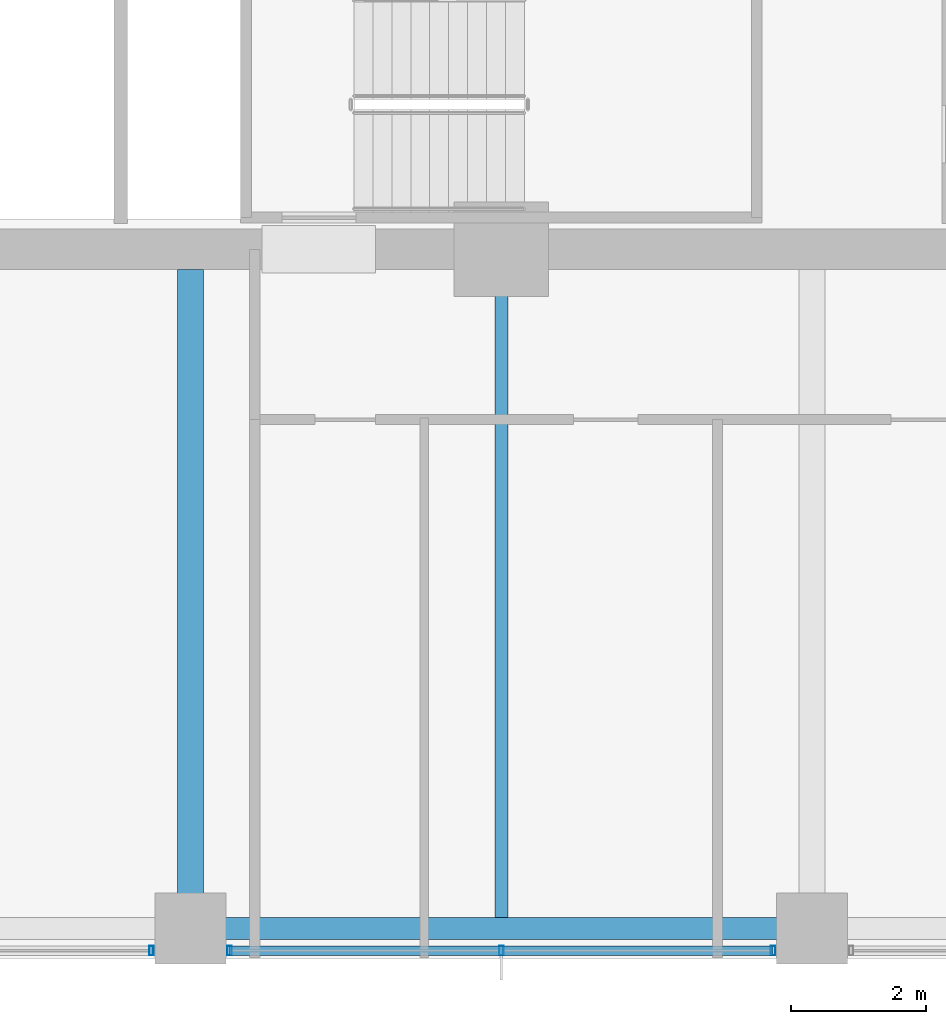
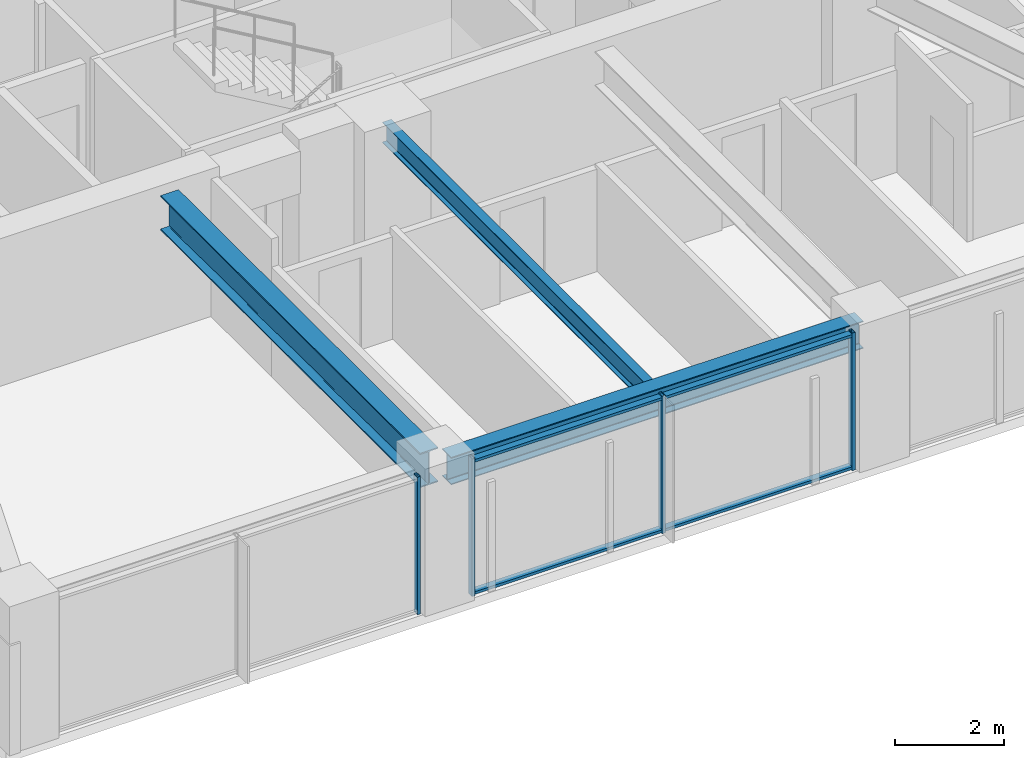
# One storey, part 6 of 36: 6 members, 3 beams, 2 elements without a shape of their own.
"""IFC4 building model written with IfcOpenShell, lengths in metres."""

from ifc_helpers import new_model, si_unit, direction, frame, origin, origin_2d, place, context, subcontext, project, spatial, hollow_rectangle, i_section, extrude, material, material_profile, profile_set, type_object, element, aggregate, save


model = new_model("IFC4")

# Units and contexts
model_context = context("Model", 3, precision=1e-05, world=origin(), true_north=direction((0.0, 1.0)))
body_context = subcontext(model_context, "Body", "Model", "MODEL_VIEW")
ifc_project = project(units=[si_unit("LENGTHUNIT", "METRE"), si_unit("AREAUNIT", "SQUARE_METRE"), si_unit("VOLUMEUNIT", "CUBIC_METRE"), si_unit("PLANEANGLEUNIT", "RADIAN"), si_unit("MASSUNIT", "GRAM", prefix="KILO")], contexts=[model_context])

# Site, building, storey
site_placement = place(None, origin())
site = spatial("IfcSite", under=ifc_project, at=site_placement, CompositionType="ELEMENT")
building_placement = place(site_placement, origin())
building = spatial("IfcBuilding", under=site, at=building_placement, Name="Kolvaren Belvedere", CompositionType="ELEMENT")
storey_placement = place(building_placement, frame((0.0, 0.0, 95.300048828125)))
storey = spatial("IfcBuildingStorey", under=building, at=storey_placement, Name="L27", CompositionType="ELEMENT", Elevation=95.300048828125)

# Beams
ifc_material_1 = material(Name="Structural steel ASTM A992 Grade 50", Category="steel")
ifc_material_profile_1 = material_profile(ifc_material_1, i_section(OverallWidth=0.381103515625, OverallDepth=0.77294921875, WebThickness=0.0166015625, FlangeThickness=0.027099609375, FilletRadius=0.02392578125, at=origin_2d()), Name="W30X173")
ifc_profile_set_1 = profile_set([ifc_material_profile_1], Name="Structural steel ASTM A992 Grade 50")
beam_type_1 = type_object("IfcBeamType", Name="BM-GIRD-W30X173", PredefinedType="BEAM", material=ifc_profile_set_1)
beam_1_placement = place(storey_placement, frame((-4.60009765625, -10.199951171875, 2.693359375), z_axis=(0.0, -1.0, 0.0), x_axis=(1.0, 0.0, 0.0)))
element("IfcBeam", 1, at=beam_1_placement, inside=storey, type_object=beam_type_1, Name="L27 South Radial Girder M", PredefinedType="BEAM", context=body_context, shape_type="SweptSolid", body=[
    extrude(i_section(OverallWidth=0.381103515625, OverallDepth=0.77294921875, WebThickness=0.0166015625, FlangeThickness=0.027099609375, FilletRadius=0.02392578125, at=origin_2d()), origin(), (0.0, 0.0, 1.0), 9.513916015625),
])
ifc_material_2 = material(Name="Structural steel ASTM A992 Grade 50", Category="steel")
ifc_material_profile_2 = material_profile(ifc_material_2, i_section(OverallWidth=0.19091796875, OverallDepth=0.4599609375, WebThickness=0.010009765625, FlangeThickness=0.01611328125, FilletRadius=0.014892578125, at=origin_2d()), Name="W18X55")
ifc_profile_set_2 = profile_set([ifc_material_profile_2], Name="Structural steel ASTM A992 Grade 50")
beam_type_2 = type_object("IfcBeamType", Name="BM-JOIST-W18X55", PredefinedType="BEAM", material=ifc_profile_set_2)
beam_2_placement = place(storey_placement, frame((0.0, -10.199951171875, 2.849853515625), z_axis=(0.0, -1.0, 0.0), x_axis=(1.0, 0.0, 0.0)))
element("IfcBeam", 2, at=beam_2_placement, inside=storey, type_object=beam_type_2, Name="L27 South Centre Floor Beam", PredefinedType="BEAM", context=body_context, shape_type="SweptSolid", body=[
    extrude(i_section(OverallWidth=0.19091796875, OverallDepth=0.4599609375, WebThickness=0.010009765625, FlangeThickness=0.01611328125, FilletRadius=0.014892578125, at=origin_2d()), origin(), (0.0, 0.0, 1.0), 9.587646484375),
])
ifc_material_3 = material(Name="Structural steel ASTM A992 Grade 50", Category="steel")
ifc_material_profile_3 = material_profile(ifc_material_3, i_section(OverallWidth=0.324951171875, OverallDepth=0.615966796875, WebThickness=0.013916015625, FlangeThickness=0.021484375, FilletRadius=0.02001953125, at=origin_2d()), Name="W24X117")
ifc_profile_set_3 = profile_set([ifc_material_profile_3], Name="Structural steel ASTM A992 Grade 50")
beam_type_3 = type_object("IfcBeamType", Name="BM-SPAN-W24X117", PredefinedType="SPANDREL", material=ifc_profile_set_3)
beam_3_placement = place(storey_placement, frame((-4.36376953125, -19.949951171875, 2.77197265625), z_axis=(1.0, 0.0, 0.0), x_axis=(0.0, 1.0, 0.0)))
element("IfcBeam", 3, at=beam_3_placement, inside=storey, type_object=beam_type_3, Name="L27 Perimeter Spandrel S2-S3", PredefinedType="SPANDREL", context=body_context, shape_type="SweptSolid", body=[
    extrude(i_section(OverallWidth=0.324951171875, OverallDepth=0.615966796875, WebThickness=0.013916015625, FlangeThickness=0.021484375, FilletRadius=0.02001953125, at=origin_2d()), origin(), (0.0, 0.0, 1.0), 8.7275390625),
])

# Curtain wall, members
ifc_material_4 = material(Name="Anodised pale-metal aluminium AA 6063-T6", Category="aluminium")
curtain_wall_type = type_object("IfcCurtainWallType", Name="CW-Z2-MID", PredefinedType="NOTDEFINED", material=ifc_material_4)
curtain_wall_1_placement = place(storey_placement, origin())
curtain_wall_1 = element("IfcCurtainWall", 4, at=curtain_wall_1_placement, inside=storey, type_object=curtain_wall_type, Name="L27 Unitised Curtain Wall FCW-L27-S-B2", PredefinedType="NOTDEFINED")
ifc_material_5 = material(Name="Anodised pale-metal aluminium AA 6063-T6", Category="aluminium")
ifc_material_profile_4 = material_profile(ifc_material_5, hollow_rectangle(XDim=0.06494140625, YDim=0.139892578125, WallThickness=0.00390625, at=origin_2d()), Name="ALU-MUL-140X65")
ifc_profile_set_4 = profile_set([ifc_material_profile_4], Name="Anodised pale-metal aluminium AA 6063-T6")
member_type_1 = type_object("IfcMemberType", Name="CW-MUL-140", PredefinedType="MULLION", material=ifc_profile_set_4)
member_1_placement = place(storey_placement, frame((4.0224609375, -20.280029296875, 0.0), z_axis=(0.0, 0.0, 1.0), x_axis=(1.0, 0.0, 0.0)))
member_1 = element("IfcMember", 5, at=member_1_placement, type_object=member_type_1, Name="FCW-L27-S-B2 Unitised Mullion 1", PredefinedType="MULLION", context=body_context, shape_type="SweptSolid", body=[
    extrude(hollow_rectangle(XDim=0.06494140625, YDim=0.139892578125, WallThickness=0.00390625, at=origin_2d()), origin(), (0.0, 0.0, 1.0), 3.079833984375),
])
member_2_placement = place(storey_placement, frame((0.0, -20.280029296875, 0.0), z_axis=(0.0, 0.0, 1.0), x_axis=(1.0, 0.0, 0.0)))
member_2 = element("IfcMember", 6, at=member_2_placement, type_object=member_type_1, Name="FCW-L27-S-B2 Unitised Mullion 2", PredefinedType="MULLION", context=body_context, shape_type="SweptSolid", body=[
    extrude(hollow_rectangle(XDim=0.06494140625, YDim=0.139892578125, WallThickness=0.00390625, at=origin_2d()), origin(), (0.0, 0.0, 1.0), 3.079833984375),
])
member_3_placement = place(storey_placement, frame((-4.0224609375, -20.280029296875, 0.0), z_axis=(0.0, 0.0, 1.0), x_axis=(1.0, 0.0, 0.0)))
member_3 = element("IfcMember", 7, at=member_3_placement, type_object=member_type_1, Name="FCW-L27-S-B2 Unitised Mullion 3", PredefinedType="MULLION", context=body_context, shape_type="SweptSolid", body=[
    extrude(hollow_rectangle(XDim=0.06494140625, YDim=0.139892578125, WallThickness=0.00390625, at=origin_2d()), origin(), (0.0, 0.0, 1.0), 3.079833984375),
])

# Curtain wall, member
curtain_wall_2_placement = place(storey_placement, origin())
curtain_wall_2 = element("IfcCurtainWall", 8, at=curtain_wall_2_placement, inside=storey, type_object=curtain_wall_type, Name="L27 Unitised Curtain Wall FCW-L27-S-B3", PredefinedType="NOTDEFINED")
member_4_placement = place(storey_placement, frame((-5.177490234375, -20.280029296875, 0.0), z_axis=(0.0, 0.0, 1.0), x_axis=(1.0, 0.0, 0.0)))
member_4 = element("IfcMember", 9, at=member_4_placement, type_object=member_type_1, Name="FCW-L27-S-B3 Unitised Mullion 1", PredefinedType="MULLION", context=body_context, shape_type="SweptSolid", body=[
    extrude(hollow_rectangle(XDim=0.06494140625, YDim=0.139892578125, WallThickness=0.00390625, at=origin_2d()), origin(), (0.0, 0.0, 1.0), 3.079833984375),
])
aggregate(curtain_wall_2, [member_4])

# Member
ifc_material_6 = material(Name="Anodised pale-metal aluminium AA 6063-T6", Category="aluminium")
ifc_material_profile_5 = material_profile(ifc_material_6, hollow_rectangle(XDim=0.06005859375, YDim=0.139892578125, WallThickness=0.00390625, at=origin_2d()), Name="ALU-TRN-140X60")
ifc_profile_set_5 = profile_set([ifc_material_profile_5], Name="Anodised pale-metal aluminium AA 6063-T6")
member_type_2 = type_object("IfcMemberType", Name="CW-TRN-140", PredefinedType="USERDEFINED", material=ifc_profile_set_5)
member_5_placement = place(storey_placement, frame((4.0224609375, -20.280029296875, 0.06005859375), z_axis=(-1.0, 0.0, 0.0), x_axis=(0.0, 0.0, 1.0)))
member_5 = element("IfcMember", 10, at=member_5_placement, type_object=member_type_2, Name="FCW-L27-S-B2 Sill Transom", ObjectType="TRANSOM", PredefinedType="USERDEFINED", context=body_context, shape_type="SweptSolid", body=[
    extrude(hollow_rectangle(XDim=0.06005859375, YDim=0.139892578125, WallThickness=0.00390625, at=origin_2d()), origin(), (0.0, 0.0, 1.0), 8.044921875),
])

member_6_placement = place(storey_placement, frame((4.0224609375, -20.280029296875, 3.02001953125), z_axis=(-1.0, 0.0, 0.0), x_axis=(0.0, 0.0, 1.0)))
member_6 = element("IfcMember", 11, at=member_6_placement, type_object=member_type_2, Name="FCW-L27-S-B2 Head Transom", ObjectType="TRANSOM", PredefinedType="USERDEFINED", context=body_context, shape_type="SweptSolid", body=[
    extrude(hollow_rectangle(XDim=0.06005859375, YDim=0.139892578125, WallThickness=0.00390625, at=origin_2d()), origin(), (0.0, 0.0, 1.0), 8.044921875),
])

aggregate(curtain_wall_1, [member_1, member_2, member_3, member_5, member_6])

save(model, "model.ifc")
